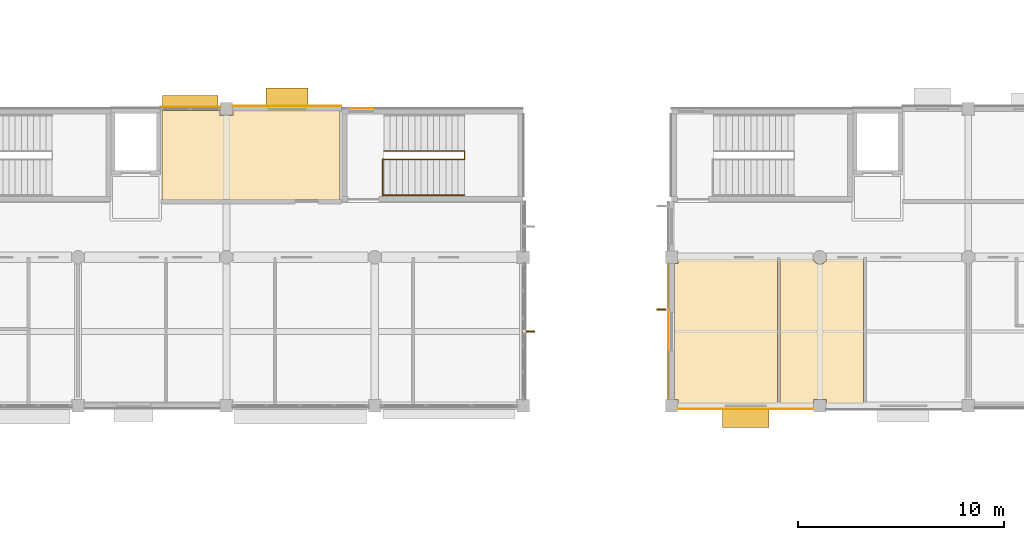
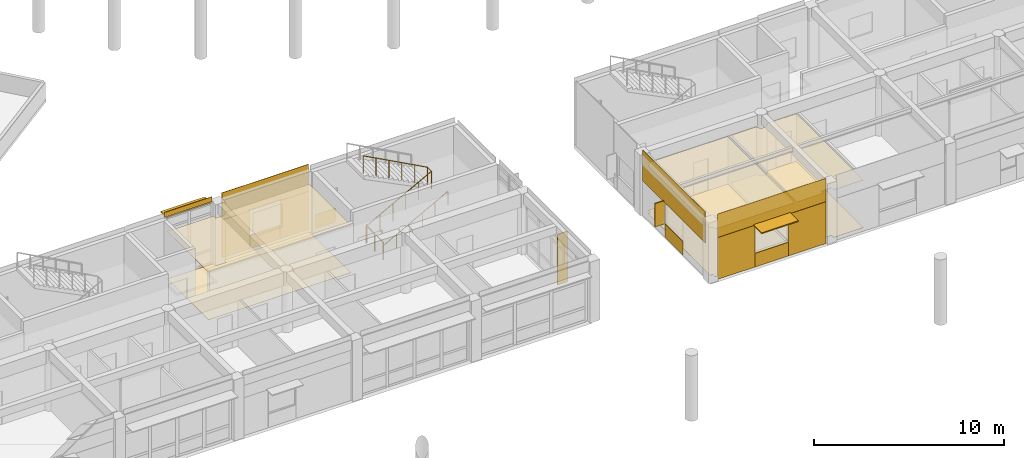
# One storey, part 41 of 55: 18 coverings, 5 shading devices, 3 railings.
"""IFC4 building model written with IfcOpenShell, lengths in metres."""

from ifc_helpers import new_model, si_unit, direction, frame, origin, origin_2d, place, context, subcontext, project, spatial, polyline, rectangle, circle, outline, extrude, material, layer, layer_set, type_object, element, save


model = new_model("IFC4")

# Units and contexts
model_context = context("Model", 3, precision=1e-05, world=origin(), true_north=direction((0.0, 1.0)))
body_context = subcontext(model_context, "Body", "Model", "MODEL_VIEW")
ifc_project = project(units=[si_unit("LENGTHUNIT", "METRE"), si_unit("AREAUNIT", "SQUARE_METRE"), si_unit("VOLUMEUNIT", "CUBIC_METRE"), si_unit("PLANEANGLEUNIT", "RADIAN"), si_unit("MASSUNIT", "GRAM", prefix="KILO")], contexts=[model_context])

# Site, building, storey
site_placement = place(None, origin())
site = spatial("IfcSite", under=ifc_project, at=site_placement, CompositionType="ELEMENT")
building_placement = place(site_placement, origin())
building = spatial("IfcBuilding", under=site, at=building_placement, Name="Namkhue Oval Health Centre", CompositionType="ELEMENT")
storey_placement = place(building_placement, frame((0.0, 0.0, 9.60009765625)))
storey = spatial("IfcBuildingStorey", under=building, at=storey_placement, Name="L02", CompositionType="ELEMENT", Elevation=9.60009765625)

# Coverings
ifc_material_1 = material(Name="Acoustic mineral-fibre cleanroom ceiling", Category="gypsum")
ifc_layer_1 = layer(ifc_material_1, 0.02001953125)
ifc_layer_set_1 = layer_set([ifc_layer_1], Name="Acoustic mineral-fibre cleanroom ceiling")
covering_type_1 = type_object("IfcCoveringType", Name="ACOUSTIC CLEANROOM CEILING 20", PredefinedType="CEILING", material=ifc_layer_set_1)
covering_1_placement = place(storey_placement, frame((0.0, 0.0, 3.0498046875)))
element("IfcCovering", 1, at=covering_1_placement, inside=storey, type_object=covering_type_1, Name="Acoustic Ceiling L02-411 Ophthalmic Microsurgery Theatre", PredefinedType="CEILING", context=body_context, shape_type="SweptSolid", body=[
    extrude(outline(polyline([(68.8798828125, 24.3798828125), (68.8798828125, 28.715087890625), (71.68994140625, 28.715087890625), (71.68994140625, 28.489990234375), (72.31005859375, 28.489990234375), (72.31005859375, 28.715087890625), (77.52001953125, 28.715087890625), (77.52001953125, 24.3798828125), (68.8798828125, 24.3798828125)])), origin(), (0.0, 0.0, 1.0), 0.02001953125),
])
covering_2_placement = place(storey_placement, frame((0.0, 0.0, 3.0498046875)))
element("IfcCovering", 2, at=covering_2_placement, inside=storey, type_object=covering_type_1, Name="Acoustic Ceiling L02-501 Psychiatric Consultation Room", PredefinedType="CEILING", context=body_context, shape_type="SweptSolid", body=[
    extrude(outline(polyline([(93.909912109375, 14.485107421875), (93.909912109375, 14.7099609375), (93.7548828125, 14.7099609375), (93.7548828125, 21.2900390625), (93.909912109375, 21.2900390625), (93.909912109375, 21.52001953125), (98.736083984375, 21.52001953125), (98.736083984375, 14.485107421875), (93.909912109375, 14.485107421875)])), origin(), (0.0, 0.0, 1.0), 0.02001953125),
])
covering_3_placement = place(storey_placement, frame((0.0, 0.0, 3.0498046875)))
element("IfcCovering", 3, at=covering_3_placement, inside=storey, type_object=covering_type_1, Name="Acoustic Ceiling L02-502 Individual Counselling Room", PredefinedType="CEILING", context=body_context, shape_type="SweptSolid", body=[
    extrude(outline(polyline([(101.110107421875, 14.485107421875), (101.110107421875, 14.7099609375), (100.489990234375, 14.7099609375), (100.489990234375, 14.485107421875), (98.8759765625, 14.485107421875), (98.8759765625, 21.52001953125), (100.4755859375, 21.52001953125), (100.510009765625, 21.4326171875), (100.56298828125, 21.363037109375), (100.632568359375, 21.309814453125), (100.71337890625, 21.2763671875), (100.800048828125, 21.264892578125), (100.88671875, 21.2763671875), (100.967529296875, 21.309814453125), (101.036865234375, 21.363037109375), (101.090087890625, 21.4326171875), (101.12451171875, 21.52001953125), (102.9140625, 21.52001953125), (102.9140625, 14.485107421875), (101.110107421875, 14.485107421875)])), origin(), (0.0, 0.0, 1.0), 0.02001953125),
])
ifc_material_2 = material(Name="Homogeneous anti-bacterial clinical vinyl flooring", Category="plastic")
ifc_layer_2 = layer(ifc_material_2, 0.014892578125)
ifc_layer_set_2 = layer_set([ifc_layer_2], Name="Homogeneous anti-bacterial clinical vinyl flooring")
covering_type_2 = type_object("IfcCoveringType", Name="CLINICAL ANTIBACTERIAL VINYL FLOORING 15", PredefinedType="FLOORING", material=ifc_layer_set_2)
covering_4_placement = place(storey_placement, origin())
element("IfcCovering", 4, at=covering_4_placement, inside=storey, type_object=covering_type_2, Name="Clinical Flooring L02-411 Ophthalmic Microsurgery Theatre", PredefinedType="FLOORING", context=body_context, shape_type="SweptSolid", body=[
    extrude(outline(polyline([(68.8798828125, 24.3798828125), (68.8798828125, 28.715087890625), (71.68994140625, 28.715087890625), (71.68994140625, 28.489990234375), (72.31005859375, 28.489990234375), (72.31005859375, 28.715087890625), (77.52001953125, 28.715087890625), (77.52001953125, 24.3798828125), (68.8798828125, 24.3798828125)])), origin(), (0.0, 0.0, 1.0), 0.014892578125),
])
covering_5_placement = place(storey_placement, origin())
element("IfcCovering", 5, at=covering_5_placement, inside=storey, type_object=covering_type_2, Name="Clinical Flooring L02-501 Psychiatric Consultation Room", PredefinedType="FLOORING", context=body_context, shape_type="SweptSolid", body=[
    extrude(outline(polyline([(93.909912109375, 14.485107421875), (93.909912109375, 14.7099609375), (93.7548828125, 14.7099609375), (93.7548828125, 21.2900390625), (93.909912109375, 21.2900390625), (93.909912109375, 21.52001953125), (98.736083984375, 21.52001953125), (98.736083984375, 14.485107421875), (93.909912109375, 14.485107421875)])), origin(), (0.0, 0.0, 1.0), 0.014892578125),
])
covering_6_placement = place(storey_placement, origin())
element("IfcCovering", 6, at=covering_6_placement, inside=storey, type_object=covering_type_2, Name="Clinical Flooring L02-502 Individual Counselling Room", PredefinedType="FLOORING", context=body_context, shape_type="SweptSolid", body=[
    extrude(outline(polyline([(101.110107421875, 14.485107421875), (101.110107421875, 14.7099609375), (100.489990234375, 14.7099609375), (100.489990234375, 14.485107421875), (98.8759765625, 14.485107421875), (98.8759765625, 21.52001953125), (100.4755859375, 21.52001953125), (100.510009765625, 21.4326171875), (100.56298828125, 21.363037109375), (100.632568359375, 21.309814453125), (100.71337890625, 21.2763671875), (100.800048828125, 21.264892578125), (100.88671875, 21.2763671875), (100.967529296875, 21.309814453125), (101.036865234375, 21.363037109375), (101.090087890625, 21.4326171875), (101.12451171875, 21.52001953125), (102.9140625, 21.52001953125), (102.9140625, 14.485107421875), (101.110107421875, 14.485107421875)])), origin(), (0.0, 0.0, 1.0), 0.014892578125),
])

# Railings
ifc_material_3 = material(Name="Brushed stainless steel 316L balustrade with laminated glass infill", Category="steel")
railing_type_1 = type_object("IfcRailingType", Name="INTERIOR BALUSTRADE GUARD 1150", PredefinedType="BALUSTRADE", material=ifc_material_3)
railing_1_placement = place(storey_placement, frame((79.60009765625, 24.590087890625, 0.0)))
element("IfcRailing", 7, at=railing_1_placement, inside=storey, type_object=railing_type_1, Name="Stair ST-08 L02 Landing Well Edge Guard", PredefinedType="BALUSTRADE", context=body_context, shape_type="SweptSolid", body=[
    extrude(circle(Radius=0.02392578125, at=origin_2d()), frame((0.0, 0.0, 1.1259765625), z_axis=(0.0, 1.0, 0.0), x_axis=(-1.0, 0.0, 0.0)), (0.0, 0.0, 1.0), 1.77001953125),
    extrude(circle(Radius=0.02099609375, at=origin_2d()), origin(), (0.0, 0.0, 1.0), 1.101806640625),
    extrude(circle(Radius=0.02099609375, at=origin_2d()), frame((0.0, 0.885009765625, 0.0)), (0.0, 0.0, 1.0), 1.101806640625),
    extrude(circle(Radius=0.02099609375, at=origin_2d()), frame((0.0, 1.77001953125, 0.0)), (0.0, 0.0, 1.0), 1.101806640625),
])
railing_2_placement = place(storey_placement, frame((79.64990234375, 26.340087890625, 0.0)))
element("IfcRailing", 8, at=railing_2_placement, inside=storey, type_object=railing_type_1, Name="Stair ST-08 L02 Inner Well Guard", PredefinedType="BALUSTRADE", context=body_context, shape_type="SweptSolid", body=[
    extrude(circle(Radius=0.02392578125, at=origin_2d()), frame((0.0, 0.0, 1.1259765625), z_axis=(0.88049233674, 0.0, 0.474060381114), x_axis=(0.0, 1.0, 0.0)), (0.0, 0.0, 1.0), 4.429443359375),
    extrude(circle(Radius=0.02392578125, at=origin_2d()), frame((3.900146484375, 0.0, 3.2255859375), z_axis=(0.0, 1.0, 0.0), x_axis=(-1.0, 0.0, 0.0)), (0.0, 0.0, 1.0), 0.419921875),
    extrude(circle(Radius=0.02392578125, at=origin_2d()), frame((3.900146484375, 0.419921875, 3.2255859375), z_axis=(-0.880469330154, 0.0, 0.474103109733), x_axis=(0.0, -1.0, 0.0)), (0.0, 0.0, 1.0), 4.4296875),
    extrude(circle(Radius=0.02099609375, at=origin_2d()), origin(), (0.0, 0.0, 1.0), 1.101806640625),
    extrude(circle(Radius=0.02099609375, at=origin_2d()), frame((0.780029296875, 0.0, 0.419921875)), (0.0, 0.0, 1.0), 1.101806640625),
    extrude(circle(Radius=0.02099609375, at=origin_2d()), frame((1.56005859375, 0.0, 0.83984375)), (0.0, 0.0, 1.0), 1.101806640625),
    extrude(circle(Radius=0.02099609375, at=origin_2d()), frame((2.340087890625, 0.0, 1.260009765625)), (0.0, 0.0, 1.0), 1.101806640625),
    extrude(circle(Radius=0.02099609375, at=origin_2d()), frame((3.1201171875, 0.0, 1.679931640625)), (0.0, 0.0, 1.0), 1.101806640625),
    extrude(circle(Radius=0.02099609375, at=origin_2d()), frame((3.900146484375, 0.0, 2.099853515625)), (0.0, 0.0, 1.0), 1.101806640625),
    extrude(circle(Radius=0.02099609375, at=origin_2d()), frame((3.900146484375, 0.419921875, 2.099853515625)), (0.0, 0.0, 1.0), 1.101806640625),
    extrude(circle(Radius=0.02099609375, at=origin_2d()), frame((3.1201171875, 0.419921875, 2.519775390625)), (0.0, 0.0, 1.0), 1.101806640625),
    extrude(circle(Radius=0.02099609375, at=origin_2d()), frame((2.340087890625, 0.419921875, 2.93994140625)), (0.0, 0.0, 1.0), 1.101806640625),
    extrude(circle(Radius=0.02099609375, at=origin_2d()), frame((1.56005859375, 0.419921875, 3.35986328125)), (0.0, 0.0, 1.0), 1.101806640625),
    extrude(circle(Radius=0.02099609375, at=origin_2d()), frame((0.780029296875, 0.419921875, 3.780029296875)), (0.0, 0.0, 1.0), 1.101806640625),
    extrude(circle(Radius=0.02099609375, at=origin_2d()), frame((0.0, 0.419921875, 4.199951171875)), (0.0, 0.0, 1.0), 1.101806640625),
])
ifc_material_4 = material(Name="Brushed stainless steel 304 tubular handrail", Category="steel")
railing_type_2 = type_object("IfcRailingType", Name="INTERIOR STAIR HANDRAIL 900", PredefinedType="HANDRAIL", material=ifc_material_4)
railing_3_placement = place(storey_placement, frame((79.64990234375, 24.6201171875, 0.0)))
element("IfcRailing", 9, at=railing_3_placement, inside=storey, type_object=railing_type_2, Name="Stair ST-08 L02 Flight 1 Handrail", PredefinedType="HANDRAIL", context=body_context, shape_type="SweptSolid", body=[
    extrude(circle(Radius=0.02392578125, at=origin_2d()), frame((0.0, 0.0, 0.8759765625), z_axis=(0.88049233674, 0.0, 0.474060381114), x_axis=(0.0, 1.0, 0.0)), (0.0, 0.0, 1.0), 4.429443359375),
    extrude(circle(Radius=0.02099609375, at=origin_2d()), origin(), (0.0, 0.0, 1.0), 0.851806640625),
    extrude(circle(Radius=0.02099609375, at=origin_2d()), frame((0.780029296875, 0.0, 0.419921875)), (0.0, 0.0, 1.0), 0.851806640625),
    extrude(circle(Radius=0.02099609375, at=origin_2d()), frame((1.56005859375, 0.0, 0.83984375)), (0.0, 0.0, 1.0), 0.851806640625),
    extrude(circle(Radius=0.02099609375, at=origin_2d()), frame((2.340087890625, 0.0, 1.260009765625)), (0.0, 0.0, 1.0), 0.851806640625),
    extrude(circle(Radius=0.02099609375, at=origin_2d()), frame((3.1201171875, 0.0, 1.679931640625)), (0.0, 0.0, 1.0), 0.851806640625),
    extrude(circle(Radius=0.02099609375, at=origin_2d()), frame((3.900146484375, 0.0, 2.099853515625)), (0.0, 0.0, 1.0), 0.851806640625),
])

# Shading devices
ifc_material_5 = material(Name="Anodised aluminium EN AW-6063 T6", Category="aluminium")
ifc_layer_3 = layer(ifc_material_5, 0.06005859375)
ifc_layer_set_3 = layer_set([ifc_layer_3], Name="Anodised aluminium EN AW-6063 T6")
shading_device_type_1 = type_object("IfcShadingDeviceType", Name="MONSOON SUN LOUVRE 900", PredefinedType="JALOUSIE", material=ifc_layer_set_3)
shading_device_1_placement = place(storey_placement, frame((74.947021484375, 29.3701171875, 2.4599609375), z_axis=(0.0, 0.0, 1.0), x_axis=(-1.0, 0.0, 0.0)))
element("IfcShadingDevice", 10, at=shading_device_1_placement, inside=storey, type_object=shading_device_type_1, Name="Volume V4 L02 Window Monsoon Louvre 222", PredefinedType="JALOUSIE", context=body_context, shape_type="SweptSolid", body=[
    extrude(rectangle(XDim=2.0400390625, YDim=0.89990234375, at=origin_2d()), origin(), (0.0, 0.0, 1.0), 0.06005859375),
])
shading_device_2_placement = place(storey_placement, frame((97.199951171875, 13.800048828125, 2.699951171875), z_axis=(0.0, 0.0, 1.0), x_axis=(1.0, 0.0, 0.0)))
element("IfcShadingDevice", 11, at=shading_device_2_placement, inside=storey, type_object=shading_device_type_1, Name="Volume V5 L02 Window Monsoon Louvre 266", PredefinedType="JALOUSIE", context=body_context, shape_type="SweptSolid", body=[
    extrude(rectangle(XDim=2.239990234375, YDim=0.89990234375, at=origin_2d()), origin(), (0.0, 0.0, 1.0), 0.06005859375),
])
ifc_layer_4 = layer(ifc_material_5, 0.050048828125)
ifc_layer_set_4 = layer_set([ifc_layer_4], Name="Anodised aluminium EN AW-6063 T6")
shading_device_type_2 = type_object("IfcShadingDeviceType", Name="STORM SHUTTER LOUVRE 650", PredefinedType="SHUTTER", material=ifc_layer_set_4)
shading_device_3_placement = place(storey_placement, frame((70.2529296875, 29.125, 3.829833984375), z_axis=(0.0, 0.0, 1.0), x_axis=(-1.0, 0.0, 0.0)))
element("IfcShadingDevice", 12, at=shading_device_3_placement, inside=storey, type_object=shading_device_type_2, Name="Volume V4 L02 Horizontal Monsoon Sun Louvre 223", PredefinedType="SHUTTER", context=body_context, shape_type="SweptSolid", body=[
    extrude(rectangle(XDim=2.701904296875, YDim=0.64990234375, at=origin_2d()), origin(), (0.0, 0.0, 1.0), 0.06005859375),
])
shading_device_type_3 = type_object("IfcShadingDeviceType", Name="VERTICAL SOLAR FIN 600", PredefinedType="USERDEFINED", material=ifc_material_5)
shading_device_4_placement = place(storey_placement, frame((86.659912109375, 18.0, 0.0), z_axis=(0.0, 0.0, 1.0), x_axis=(1.0, 0.0, 0.0)))
element("IfcShadingDevice", 13, at=shading_device_4_placement, inside=storey, type_object=shading_device_type_3, Name="Volume V4 L02 Extruded Aluminium Solar Fin 220", ObjectType="SOLAR FIN", PredefinedType="USERDEFINED", context=body_context, shape_type="SweptSolid", body=[
    extrude(rectangle(XDim=0.60009765625, YDim=0.06005859375, at=origin_2d()), origin(), (0.0, 0.0, 1.0), 3.25),
])
shading_device_5_placement = place(storey_placement, frame((93.18505859375, 19.06494140625, 0.7998046875), z_axis=(0.0, 0.0, 1.0), x_axis=(-1.0, 0.0, 0.0)))
element("IfcShadingDevice", 14, at=shading_device_5_placement, inside=storey, type_object=shading_device_type_3, Name="Volume V5 L02 Window Solar Fin 276", ObjectType="SOLAR FIN", PredefinedType="USERDEFINED", context=body_context, shape_type="SweptSolid", body=[
    extrude(rectangle(XDim=0.60009765625, YDim=0.06005859375, at=origin_2d()), origin(), (0.0, 0.0, 1.0), 1.5),
])

# Coverings
ifc_material_6 = material(Name="White glass-fibre reinforced concrete GRC rainscreen cladding", Category="concrete")
ifc_layer_5 = layer(ifc_material_6, 0.02490234375)
ifc_layer_set_5 = layer_set([ifc_layer_5], Name="White glass-fibre reinforced concrete GRC rainscreen cladding")
covering_type_3 = type_object("IfcCoveringType", Name="WHITE GRC RAINSCREEN CLADDING 25", PredefinedType="CLADDING", material=ifc_layer_set_5)
covering_7_placement = place(storey_placement, frame((74.947021484375, 28.94189453125, 2.455078125), z_axis=(0.0, 0.0, 1.0), x_axis=(-1.0, 0.0, 0.0)))
element("IfcCovering", 15, at=covering_7_placement, inside=storey, type_object=covering_type_3, Name="Volume V4 L02 Facade 105 White GRC Cladding 1", PredefinedType="CLADDING", context=body_context, shape_type="SweptSolid", body=[
    extrude(rectangle(XDim=5.261962890625, YDim=0.02490234375, at=origin_2d()), origin(), (0.0, 0.0, 1.0), 1.735107421875),
])
covering_8_placement = place(storey_placement, frame((76.719970703125, 28.94189453125, 0.010009765625), z_axis=(0.0, 0.0, 1.0), x_axis=(-1.0, 0.0, 0.0)))
element("IfcCovering", 16, at=covering_8_placement, inside=storey, type_object=covering_type_3, Name="Volume V4 L02 Facade 105 White GRC Cladding 2", PredefinedType="CLADDING", context=body_context, shape_type="SweptSolid", body=[
    extrude(rectangle(XDim=1.716064453125, YDim=0.02490234375, at=origin_2d()), origin(), (0.0, 0.0, 1.0), 2.43994140625),
])
covering_9_placement = place(storey_placement, frame((74.947021484375, 28.94189453125, 0.010009765625), z_axis=(0.0, 0.0, 1.0), x_axis=(-1.0, 0.0, 0.0)))
element("IfcCovering", 17, at=covering_9_placement, inside=storey, type_object=covering_type_3, Name="Volume V4 L02 Facade 105 White GRC Cladding 3", PredefinedType="CLADDING", context=body_context, shape_type="SweptSolid", body=[
    extrude(rectangle(XDim=1.820068359375, YDim=0.02490234375, at=origin_2d()), origin(), (0.0, 0.0, 1.0), 0.875),
])
covering_10_placement = place(storey_placement, frame((73.174072265625, 28.94189453125, 0.010009765625), z_axis=(0.0, 0.0, 1.0), x_axis=(-1.0, 0.0, 0.0)))
element("IfcCovering", 18, at=covering_10_placement, inside=storey, type_object=covering_type_3, Name="Volume V4 L02 Facade 105 White GRC Cladding 4", PredefinedType="CLADDING", context=body_context, shape_type="SweptSolid", body=[
    extrude(rectangle(XDim=1.716064453125, YDim=0.02490234375, at=origin_2d()), origin(), (0.0, 0.0, 1.0), 2.43994140625),
])
covering_11_placement = place(storey_placement, frame((70.2529296875, 28.888427734375, 3.885009765625), z_axis=(0.0, 0.0, 1.0), x_axis=(-1.0, 0.0, 0.0)))
element("IfcCovering", 19, at=covering_11_placement, inside=storey, type_object=covering_type_3, Name="Volume V4 L02 Curtain Wall Spandrel Cladding 165", PredefinedType="CLADDING", context=body_context, shape_type="SweptSolid", body=[
    extrude(rectangle(XDim=2.89208984375, YDim=0.02490234375, at=origin_2d()), origin(), (0.0, 0.0, 1.0), 0.31494140625),
])
covering_12_placement = place(storey_placement, frame((97.199951171875, 14.22802734375, 2.69482421875), z_axis=(0.0, 0.0, 1.0), x_axis=(1.0, 0.0, 0.0)))
element("IfcCovering", 20, at=covering_12_placement, inside=storey, type_object=covering_type_3, Name="Volume V5 L02 Facade 127 White GRC Cladding 1", PredefinedType="CLADDING", context=body_context, shape_type="SweptSolid", body=[
    extrude(rectangle(XDim=6.568115234375, YDim=0.02490234375, at=origin_2d()), origin(), (0.0, 0.0, 1.0), 1.4951171875),
])
covering_13_placement = place(storey_placement, frame((95.050537109375, 14.22802734375, 0.009765625), z_axis=(0.0, 0.0, 1.0), x_axis=(1.0, 0.0, 0.0)))
element("IfcCovering", 21, at=covering_13_placement, inside=storey, type_object=covering_type_3, Name="Volume V5 L02 Facade 127 White GRC Cladding 2", PredefinedType="CLADDING", context=body_context, shape_type="SweptSolid", body=[
    extrude(rectangle(XDim=2.26904296875, YDim=0.02490234375, at=origin_2d()), origin(), (0.0, 0.0, 1.0), 2.679931640625),
])
covering_14_placement = place(storey_placement, frame((97.199951171875, 14.22802734375, 0.010009765625), z_axis=(0.0, 0.0, 1.0), x_axis=(1.0, 0.0, 0.0)))
element("IfcCovering", 22, at=covering_14_placement, inside=storey, type_object=covering_type_3, Name="Volume V5 L02 Facade 127 White GRC Cladding 3", PredefinedType="CLADDING", context=body_context, shape_type="SweptSolid", body=[
    extrude(rectangle(XDim=2.02001953125, YDim=0.02490234375, at=origin_2d()), origin(), (0.0, 0.0, 1.0), 0.875),
])
covering_15_placement = place(storey_placement, frame((99.349609375, 14.22802734375, 0.009765625), z_axis=(0.0, 0.0, 1.0), x_axis=(1.0, 0.0, 0.0)))
element("IfcCovering", 23, at=covering_15_placement, inside=storey, type_object=covering_type_3, Name="Volume V5 L02 Facade 127 White GRC Cladding 4", PredefinedType="CLADDING", context=body_context, shape_type="SweptSolid", body=[
    extrude(rectangle(XDim=2.26904296875, YDim=0.02490234375, at=origin_2d()), origin(), (0.0, 0.0, 1.0), 2.679931640625),
])
covering_16_placement = place(storey_placement, frame((93.452880859375, 18.0, 2.21484375), z_axis=(0.0, 0.0, 1.0), x_axis=(0.0, -1.0, 0.0)))
element("IfcCovering", 24, at=covering_16_placement, inside=storey, type_object=covering_type_3, Name="Volume V5 L02 Facade 138 White GRC Cladding 1", PredefinedType="CLADDING", context=body_context, shape_type="SweptSolid", body=[
    extrude(rectangle(XDim=6.568115234375, YDim=0.02490234375, at=origin_2d()), origin(), (0.0, 0.0, 1.0), 1.97509765625),
])
covering_17_placement = place(storey_placement, frame((93.452880859375, 18.0, 0.010009765625), z_axis=(0.0, 0.0, 1.0), x_axis=(0.0, -1.0, 0.0)))
element("IfcCovering", 25, at=covering_17_placement, inside=storey, type_object=covering_type_3, Name="Volume V5 L02 Facade 138 White GRC Cladding 3", PredefinedType="CLADDING", context=body_context, shape_type="SweptSolid", body=[
    extrude(rectangle(XDim=1.8701171875, YDim=0.02490234375, at=origin_2d()), origin(), (0.0, 0.0, 1.0), 0.875),
])
covering_18_placement = place(storey_placement, frame((78.5400390625, 28.81201171875, 0.010009765625), z_axis=(0.0, 0.0, 1.0), x_axis=(-1.0, 0.0, 0.0)))
element("IfcCovering", 26, at=covering_18_placement, inside=storey, type_object=covering_type_3, Name="Core SC-08 L02 Core N White GRC Cladding 3", PredefinedType="CLADDING", context=body_context, shape_type="SweptSolid", body=[
    extrude(rectangle(XDim=1.199951171875, YDim=0.02490234375, at=origin_2d()), origin(), (0.0, 0.0, 1.0), 0.89501953125),
])

save(model, "model.ifc")
